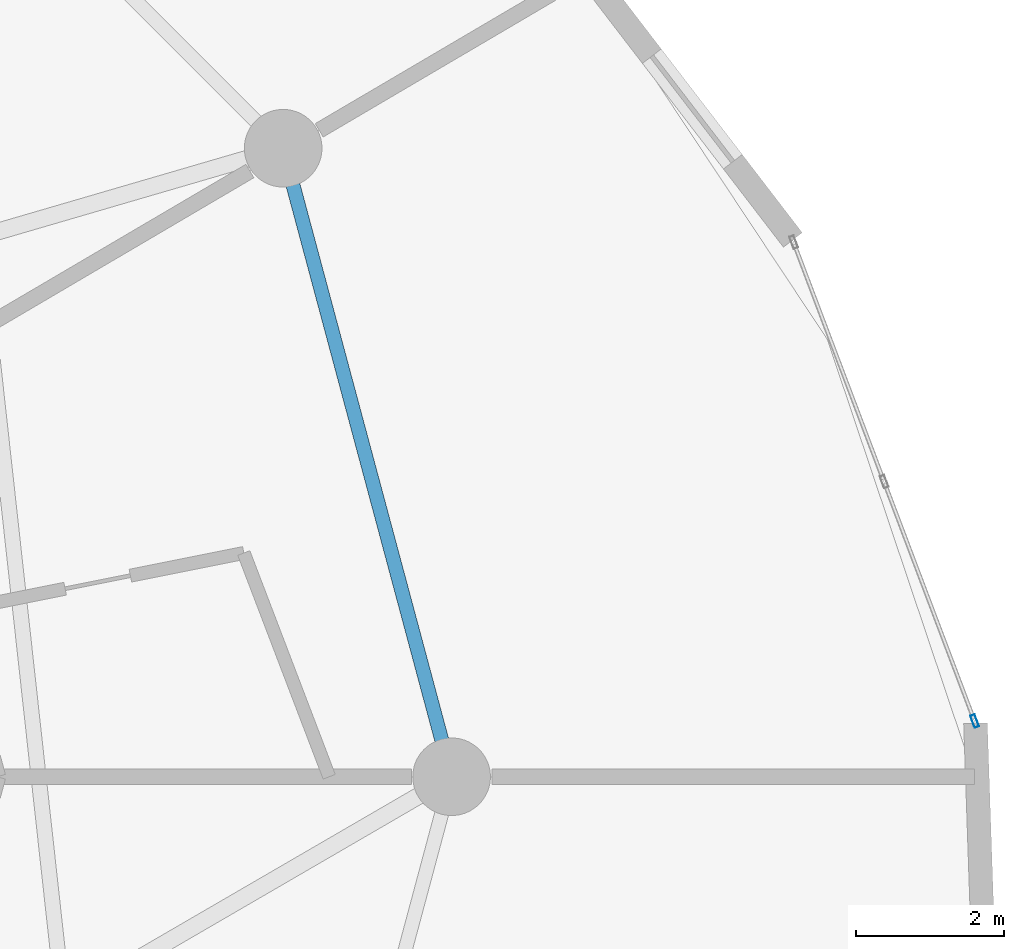
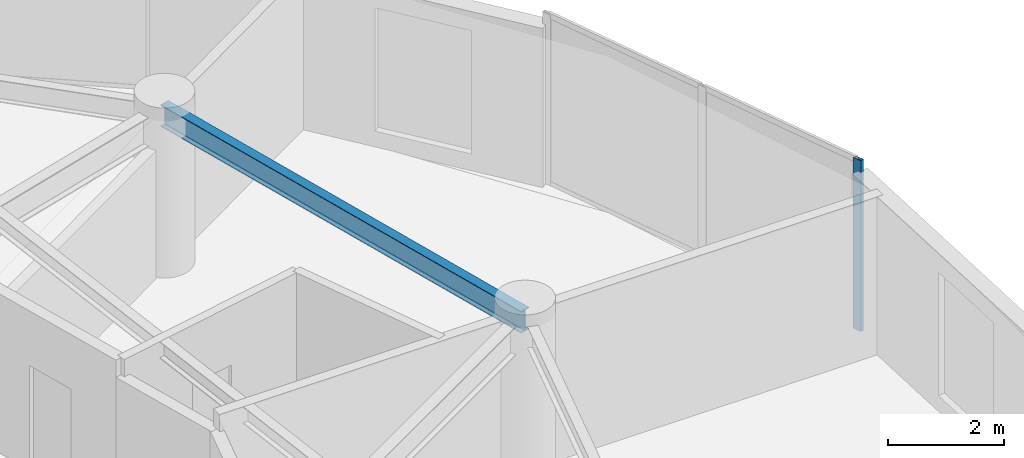
# One storey, part 13 of 25: 1 beam, 1 member, 1 element without a shape of its own.
"""IFC4 building model written with IfcOpenShell, lengths in metres."""

from ifc_helpers import new_model, si_unit, direction, frame, origin, origin_2d, place, context, subcontext, project, spatial, hollow_rectangle, i_section, extrude, source, transform, mapped, material, layer, layer_set, material_profile, profile_set, type_object, element, aggregate, save


model = new_model("IFC4")

# Units and contexts
model_context = context("Model", 3, precision=1e-05, world=origin(), true_north=direction((0.0, 1.0)))
body_context = subcontext(model_context, "Body", "Model", "MODEL_VIEW")
ifc_project = project(units=[si_unit("LENGTHUNIT", "METRE"), si_unit("AREAUNIT", "SQUARE_METRE"), si_unit("VOLUMEUNIT", "CUBIC_METRE"), si_unit("PLANEANGLEUNIT", "RADIAN"), si_unit("MASSUNIT", "GRAM", prefix="KILO")], contexts=[model_context])

# Site, building, storey
site_placement = place(None, origin())
site = spatial("IfcSite", under=ifc_project, at=site_placement, CompositionType="ELEMENT")
building_placement = place(site_placement, origin())
building = spatial("IfcBuilding", under=site, at=building_placement, Name="Solvirekh Grand Hotel", CompositionType="ELEMENT")
storey_placement = place(building_placement, frame((0.0, 0.0, 106.199951171875)))
storey = spatial("IfcBuildingStorey", under=building, at=storey_placement, Name="L26", CompositionType="ELEMENT", Elevation=106.199951171875)

# Beam
ifc_material_1 = material(Name="Steel S355", Category="steel")
ifc_material_profile_1 = material_profile(ifc_material_1, i_section(OverallWidth=0.18994140625, OverallDepth=0.45703125, WebThickness=0.009033203125, FlangeThickness=0.013916015625, FilletRadius=0.012939453125, at=origin_2d()), Name="W460X74")
ifc_profile_set_1 = profile_set([ifc_material_profile_1], Name="Steel S355")
beam_type = type_object("IfcBeamType", Name="Spandrel_Ring_W460", PredefinedType="SPANDREL", material=ifc_profile_set_1)
beam_placement = place(storey_placement, frame((17.0, 0.0, 3.1220703125), z_axis=(-0.258872908946, 0.965911391906, 0.0), x_axis=(-0.965911391906, -0.258872908946, 0.0)))
element("IfcBeam", 1, at=beam_placement, inside=storey, type_object=beam_type, Name="L26 perimeter spandrel beam 1", PredefinedType="SPANDREL", context=body_context, shape_type="SweptSolid", body=[
    extrude(i_section(OverallWidth=0.18994140625, OverallDepth=0.45703125, WebThickness=0.009033203125, FlangeThickness=0.013916015625, FilletRadius=0.012939453125, at=origin_2d()), origin(), (0.0, 0.0, 1.0), 8.800048828125),
])

# Curtain wall, member
ifc_material_2 = material(Name="Anodized Bronze Aluminium 6063-T6", Category="aluminium")
ifc_layer = layer(ifc_material_2, 0.175048828125)
ifc_layer_set = layer_set([ifc_layer], Name="Anodized Bronze Aluminium 6063-T6")
curtain_wall_type = type_object("IfcCurtainWallType", Name="CW_Sys3_MidZoneFlushBronzeCW", PredefinedType="NOTDEFINED", material=ifc_layer_set)
curtain_wall_placement = place(storey_placement, origin())
curtain_wall = element("IfcCurtainWall", 2, at=curtain_wall_placement, inside=storey, type_object=curtain_wall_type, Name="L26 unitised bronze-glass curtain wall CW-L26-C03", PredefinedType="NOTDEFINED")
ifc_material_profile_2 = material_profile(ifc_material_2, hollow_rectangle(XDim=0.06494140625, YDim=0.175048828125, WallThickness=0.0048828125, at=origin_2d()), Name="ALU RHS 175X65X5")
ifc_profile_set_2 = profile_set([ifc_material_profile_2], Name="Anodized Bronze Aluminium 6063-T6")
member_type = type_object("IfcMemberType", Name="CWMullion_Sys3", PredefinedType="MULLION", material=ifc_profile_set_2)
shared_shape = source(origin(), body_context, "Body", "SweptSolid", [
    extrude(hollow_rectangle(XDim=0.06494140625, YDim=0.175048828125, WallThickness=0.0048828125, at=origin_2d()), origin(), (0.0, 0.0, 1.0), 3.60009765625),
])
member_placement = place(storey_placement, frame((24.074462890625, 0.75341796875, 0.0), z_axis=(0.0, 0.0, 1.0), x_axis=(-0.935420579411, -0.353536899934, 0.0)))
member = element("IfcMember", 3, at=member_placement, type_object=member_type, Name="U03 mullion 1", PredefinedType="MULLION", context=body_context, shape_type="MappedRepresentation", body=[
    mapped(shared_shape, transform((0.0, 0.0, 0.0), x_axis=(1.0, 0.0, 0.0), y_axis=(0.0, 1.0, 0.0), z_axis=(0.0, 0.0, 1.0), scale=1.0)),
])
aggregate(curtain_wall, [member])

save(model, "model.ifc")
